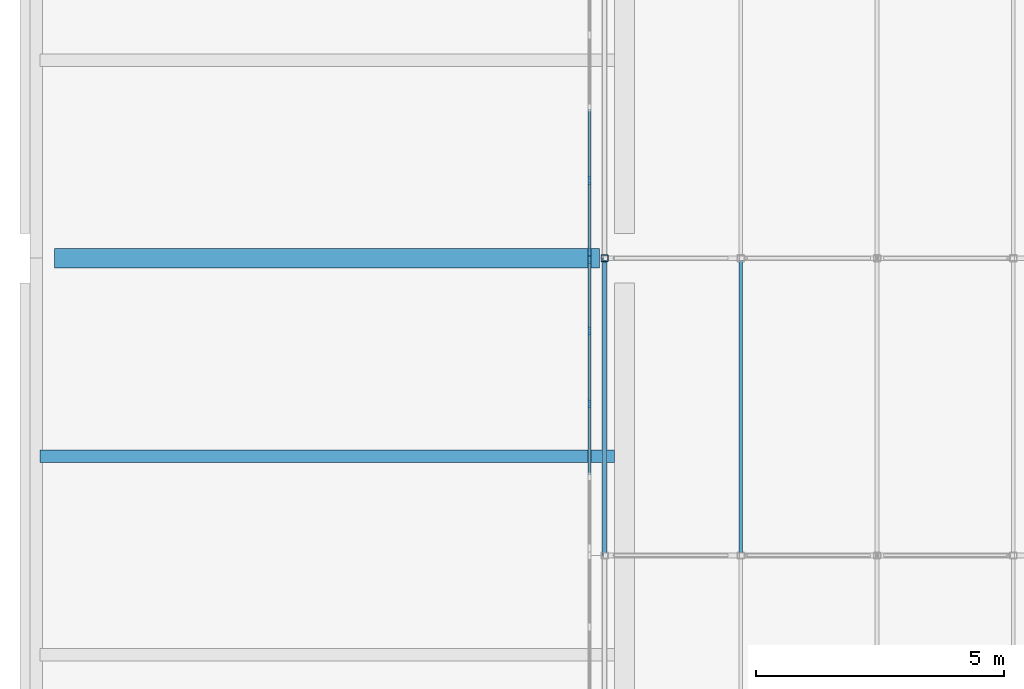
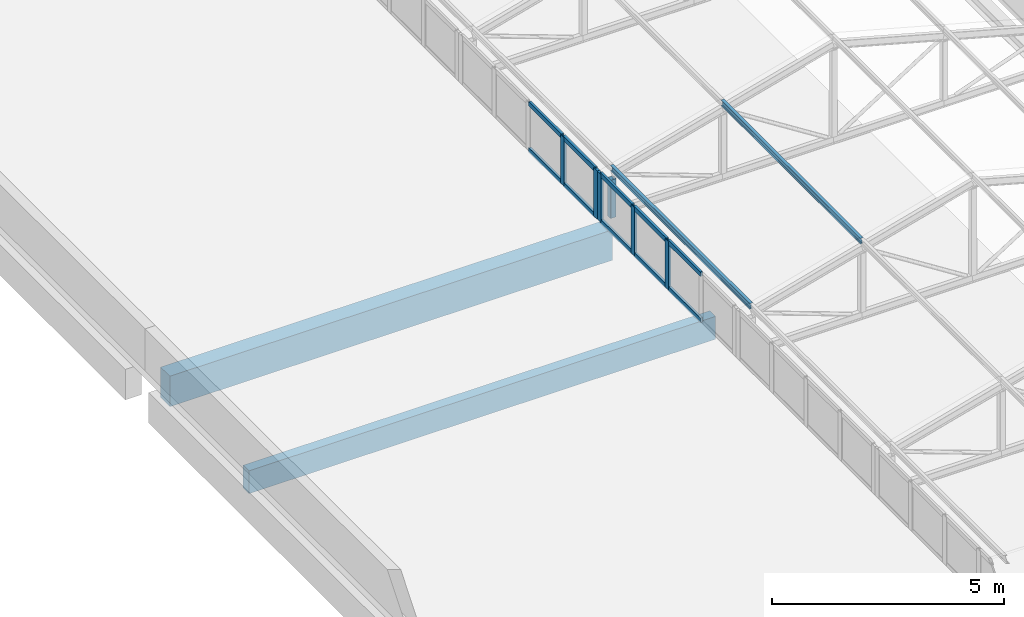
# One storey, part 26 of 94: 18 members, 2 beams, 2 elements without a shape of their own.
"""IFC4 building model written with IfcOpenShell, lengths in metres."""

from ifc_helpers import new_model, si_unit, direction, frame, origin, origin_2d, place, context, subcontext, project, spatial, rectangle, hollow_rectangle, i_section, extrude, material, layer, layer_set, material_profile, profile_set, type_object, element, aggregate, save


model = new_model("IFC4")

# Units and contexts
model_context = context("Model", 3, precision=1e-05, world=origin(), true_north=direction((0.0, 1.0)))
body_context = subcontext(model_context, "Body", "Model", "MODEL_VIEW")
ifc_project = project(units=[si_unit("LENGTHUNIT", "METRE"), si_unit("AREAUNIT", "SQUARE_METRE"), si_unit("VOLUMEUNIT", "CUBIC_METRE"), si_unit("PLANEANGLEUNIT", "RADIAN"), si_unit("MASSUNIT", "GRAM", prefix="KILO")], contexts=[model_context])

# Site, building, storey
site_placement = place(None, origin())
site = spatial("IfcSite", under=ifc_project, at=site_placement, CompositionType="ELEMENT")
building_placement = place(site_placement, origin())
building = spatial("IfcBuilding", under=site, at=building_placement, Name="Lilac Gate Convention Centre", CompositionType="ELEMENT")
storey_placement = place(building_placement, frame((0.0, 0.0, 21.0)))
storey = spatial("IfcBuildingStorey", under=building, at=storey_placement, Name="L04", CompositionType="ELEMENT", Elevation=21.0)

# Curtain wall, members
ifc_material_1 = material(Name="Aluminium framed double glazing", Category="aluminium")
ifc_layer = layer(ifc_material_1, 0.199951171875)
ifc_layer_set = layer_set([ifc_layer], Name="Aluminium framed double glazing")
curtain_wall_type = type_object("IfcCurtainWallType", Name="Unitised curtain wall 1500", PredefinedType="NOTDEFINED", material=ifc_layer_set)
curtain_wall_1_placement = place(storey_placement, origin())
curtain_wall_1 = element("IfcCurtainWall", 1, at=curtain_wall_1_placement, inside=storey, type_object=curtain_wall_type, Name="Lantern clerestory W 14", PredefinedType="NOTDEFINED")
ifc_material_2 = material(Name="Aluminium alloy 6063", Category="aluminium")
ifc_material_profile_1 = material_profile(ifc_material_2, rectangle(XDim=0.06005859375, YDim=0.159912109375, at=origin_2d()), Name="Curtain wall mullion 60 x 160")
ifc_profile_set_1 = profile_set([ifc_material_profile_1], Name="Aluminium alloy 6063")
member_type_1 = type_object("IfcMemberType", Name="Curtain wall mullion 60 x 160", PredefinedType="MULLION", material=ifc_profile_set_1)
member_1_placement = place(storey_placement, frame((17.300048828125, 111.0625, 0.0), z_axis=(0.0, 0.0, 1.0), x_axis=(-1.0, 0.0, 0.0)))
member_1 = element("IfcMember", 2, at=member_1_placement, type_object=member_type_1, Name="CW mullion 3", PredefinedType="MULLION", context=body_context, shape_type="SweptSolid", body=[
    extrude(rectangle(XDim=0.06005859375, YDim=0.159912109375, at=origin_2d()), origin(), (0.0, 0.0, 1.0), 1.272216796875),
])
member_2_placement = place(storey_placement, frame((17.300048828125, 112.53125, 0.0), z_axis=(0.0, 0.0, 1.0), x_axis=(-1.0, 0.0, 0.0)))
member_2 = element("IfcMember", 3, at=member_2_placement, type_object=member_type_1, Name="CW mullion 4", PredefinedType="MULLION", context=body_context, shape_type="SweptSolid", body=[
    extrude(rectangle(XDim=0.06005859375, YDim=0.159912109375, at=origin_2d()), origin(), (0.0, 0.0, 1.0), 1.272216796875),
])
member_3_placement = place(storey_placement, frame((17.300048828125, 113.969970703125, 0.0), z_axis=(0.0, 0.0, 1.0), x_axis=(-1.0, 0.0, 0.0)))
member_3 = element("IfcMember", 4, at=member_3_placement, type_object=member_type_1, Name="CW mullion 5", PredefinedType="MULLION", context=body_context, shape_type="SweptSolid", body=[
    extrude(rectangle(XDim=0.06005859375, YDim=0.159912109375, at=origin_2d()), origin(), (0.0, 0.0, 1.0), 1.272216796875),
])

curtain_wall_2_placement = place(storey_placement, origin())
curtain_wall_2 = element("IfcCurtainWall", 5, at=curtain_wall_2_placement, inside=storey, type_object=curtain_wall_type, Name="Lantern clerestory W 15", PredefinedType="NOTDEFINED")
member_4_placement = place(storey_placement, frame((17.300048828125, 114.130126953125, 0.0), z_axis=(0.0, 0.0, 1.0), x_axis=(-1.0, 0.0, 0.0)))
member_4 = element("IfcMember", 6, at=member_4_placement, type_object=member_type_1, Name="CW mullion 1", PredefinedType="MULLION", context=body_context, shape_type="SweptSolid", body=[
    extrude(rectangle(XDim=0.06005859375, YDim=0.159912109375, at=origin_2d()), origin(), (0.0, 0.0, 1.0), 1.272216796875),
])
member_5_placement = place(storey_placement, frame((17.300048828125, 115.56884765625, 0.0), z_axis=(0.0, 0.0, 1.0), x_axis=(-1.0, 0.0, 0.0)))
member_5 = element("IfcMember", 7, at=member_5_placement, type_object=member_type_1, Name="CW mullion 2", PredefinedType="MULLION", context=body_context, shape_type="SweptSolid", body=[
    extrude(rectangle(XDim=0.06005859375, YDim=0.159912109375, at=origin_2d()), origin(), (0.0, 0.0, 1.0), 1.272216796875),
])

# Member
ifc_material_profile_2 = material_profile(ifc_material_2, rectangle(XDim=0.06005859375, YDim=0.1201171875, at=origin_2d()), Name="Curtain wall transom 60 x 120")
ifc_profile_set_2 = profile_set([ifc_material_profile_2], Name="Aluminium alloy 6063")
member_type_2 = type_object("IfcMemberType", Name="Curtain wall transom 60 x 120", PredefinedType="USERDEFINED", material=ifc_profile_set_2)
member_6_placement = place(storey_placement, frame((17.300048828125, 109.623779296875, 0.030029296875), z_axis=(0.0, 1.0, 0.0), x_axis=(-1.0, 0.0, 0.0)))
member_6 = element("IfcMember", 8, at=member_6_placement, type_object=member_type_2, Name="CW transom 2.1", ObjectType="TRANSOM", PredefinedType="USERDEFINED", context=body_context, shape_type="SweptSolid", body=[
    extrude(rectangle(XDim=0.06005859375, YDim=0.1201171875, at=origin_2d()), origin(), (0.0, 0.0, 1.0), 1.40869140625),
])

member_7_placement = place(storey_placement, frame((17.300048828125, 109.623779296875, 1.2421875), z_axis=(0.0, 1.0, 0.0), x_axis=(-1.0, 0.0, 0.0)))
member_7 = element("IfcMember", 9, at=member_7_placement, type_object=member_type_2, Name="CW transom 2.2", ObjectType="TRANSOM", PredefinedType="USERDEFINED", context=body_context, shape_type="SweptSolid", body=[
    extrude(rectangle(XDim=0.06005859375, YDim=0.1201171875, at=origin_2d()), origin(), (0.0, 0.0, 1.0), 1.40869140625),
])

member_8_placement = place(storey_placement, frame((17.300048828125, 111.092529296875, 0.030029296875), z_axis=(0.0, 1.0, 0.0), x_axis=(-1.0, 0.0, 0.0)))
member_8 = element("IfcMember", 10, at=member_8_placement, type_object=member_type_2, Name="CW transom 3.1", ObjectType="TRANSOM", PredefinedType="USERDEFINED", context=body_context, shape_type="SweptSolid", body=[
    extrude(rectangle(XDim=0.06005859375, YDim=0.1201171875, at=origin_2d()), origin(), (0.0, 0.0, 1.0), 1.40869140625),
])

member_9_placement = place(storey_placement, frame((17.300048828125, 111.092529296875, 1.2421875), z_axis=(0.0, 1.0, 0.0), x_axis=(-1.0, 0.0, 0.0)))
member_9 = element("IfcMember", 11, at=member_9_placement, type_object=member_type_2, Name="CW transom 3.2", ObjectType="TRANSOM", PredefinedType="USERDEFINED", context=body_context, shape_type="SweptSolid", body=[
    extrude(rectangle(XDim=0.06005859375, YDim=0.1201171875, at=origin_2d()), origin(), (0.0, 0.0, 1.0), 1.40869140625),
])

member_10_placement = place(storey_placement, frame((17.300048828125, 112.561279296875, 0.030029296875), z_axis=(0.0, 1.0, 0.0), x_axis=(-1.0, 0.0, 0.0)))
member_10 = element("IfcMember", 12, at=member_10_placement, type_object=member_type_2, Name="CW transom 4.1", ObjectType="TRANSOM", PredefinedType="USERDEFINED", context=body_context, shape_type="SweptSolid", body=[
    extrude(rectangle(XDim=0.06005859375, YDim=0.1201171875, at=origin_2d()), origin(), (0.0, 0.0, 1.0), 1.378662109375),
])

member_11_placement = place(storey_placement, frame((17.300048828125, 112.561279296875, 1.2421875), z_axis=(0.0, 1.0, 0.0), x_axis=(-1.0, 0.0, 0.0)))
member_11 = element("IfcMember", 13, at=member_11_placement, type_object=member_type_2, Name="CW transom 4.2", ObjectType="TRANSOM", PredefinedType="USERDEFINED", context=body_context, shape_type="SweptSolid", body=[
    extrude(rectangle(XDim=0.06005859375, YDim=0.1201171875, at=origin_2d()), origin(), (0.0, 0.0, 1.0), 1.378662109375),
])

aggregate(curtain_wall_1, [member_1, member_2, member_3, member_6, member_7, member_8, member_9, member_10, member_11])

member_12_placement = place(storey_placement, frame((17.300048828125, 114.16015625, 0.030029296875), z_axis=(0.0, 1.0, 0.0), x_axis=(-1.0, 0.0, 0.0)))
member_12 = element("IfcMember", 14, at=member_12_placement, type_object=member_type_2, Name="CW transom 1.1", ObjectType="TRANSOM", PredefinedType="USERDEFINED", context=body_context, shape_type="SweptSolid", body=[
    extrude(rectangle(XDim=0.06005859375, YDim=0.1201171875, at=origin_2d()), origin(), (0.0, 0.0, 1.0), 1.378662109375),
])

member_13_placement = place(storey_placement, frame((17.300048828125, 114.16015625, 1.2421875), z_axis=(0.0, 1.0, 0.0), x_axis=(-1.0, 0.0, 0.0)))
member_13 = element("IfcMember", 15, at=member_13_placement, type_object=member_type_2, Name="CW transom 1.2", ObjectType="TRANSOM", PredefinedType="USERDEFINED", context=body_context, shape_type="SweptSolid", body=[
    extrude(rectangle(XDim=0.06005859375, YDim=0.1201171875, at=origin_2d()), origin(), (0.0, 0.0, 1.0), 1.378662109375),
])

member_14_placement = place(storey_placement, frame((17.300048828125, 115.598876953125, 0.030029296875), z_axis=(0.0, 1.0, 0.0), x_axis=(-1.0, 0.0, 0.0)))
member_14 = element("IfcMember", 16, at=member_14_placement, type_object=member_type_2, Name="CW transom 2.1", ObjectType="TRANSOM", PredefinedType="USERDEFINED", context=body_context, shape_type="SweptSolid", body=[
    extrude(rectangle(XDim=0.06005859375, YDim=0.1201171875, at=origin_2d()), origin(), (0.0, 0.0, 1.0), 1.40869140625),
])

member_15_placement = place(storey_placement, frame((17.300048828125, 115.598876953125, 1.2421875), z_axis=(0.0, 1.0, 0.0), x_axis=(-1.0, 0.0, 0.0)))
member_15 = element("IfcMember", 17, at=member_15_placement, type_object=member_type_2, Name="CW transom 2.2", ObjectType="TRANSOM", PredefinedType="USERDEFINED", context=body_context, shape_type="SweptSolid", body=[
    extrude(rectangle(XDim=0.06005859375, YDim=0.1201171875, at=origin_2d()), origin(), (0.0, 0.0, 1.0), 1.40869140625),
])

aggregate(curtain_wall_2, [member_4, member_5, member_12, member_13, member_14, member_15])

# Members
ifc_material_3 = material(Name="Steel Q355B", Category="steel")
ifc_material_profile_3 = material_profile(ifc_material_3, hollow_rectangle(XDim=0.139892578125, YDim=0.139892578125, WallThickness=0.0048828125, InnerFilletRadius=0.0048828125, OuterFilletRadius=0.010009765625, at=origin_2d()), Name="SHS140x140x5")
ifc_profile_set_3 = profile_set([ifc_material_profile_3], Name="Steel Q355B")
member_type_3 = type_object("IfcMemberType", Name="Lantern post SHS140x140x5", PredefinedType="STRUT", material=ifc_profile_set_3)
member_16_placement = place(storey_placement, frame((17.60009765625, 114.0, 0.0), z_axis=(0.0, 0.0, 1.0), x_axis=(1.0, 0.0, 0.0)))
element("IfcMember", 18, at=member_16_placement, inside=storey, type_object=member_type_3, Name="LV1 lantern truss 15 post 1", PredefinedType="STRUT", context=body_context, shape_type="SweptSolid", body=[
    extrude(hollow_rectangle(XDim=0.139892578125, YDim=0.139892578125, WallThickness=0.0048828125, InnerFilletRadius=0.0048828125, OuterFilletRadius=0.010009765625, at=origin_2d()), origin(), (0.0, 0.0, 1.0), 1.001953125),
])
ifc_material_profile_4 = material_profile(ifc_material_3, i_section(OverallWidth=0.074951171875, OverallDepth=0.14990234375, WebThickness=0.0048828125, FlangeThickness=0.007080078125, FilletRadius=0.008056640625, at=origin_2d()), Name="HN150x75x5x7")
ifc_profile_set_4 = profile_set([ifc_material_profile_4], Name="Steel Q355B")
member_type_4 = type_object("IfcMemberType", Name="Lantern purlin HN150x75x5x7", PredefinedType="PURLIN", material=ifc_profile_set_4)
for number, where, z_axis, x_axis, name in (
    (19, (17.60009765625, 108.0, 1.279052734375), (0.0, 1.0, 0.0), (-1.0, 0.0, 0.0), "LP1 lantern purlin bay 14 line 1"),
    (20, (20.35009765625, 108.0, 2.029052734375), (0.0, 1.0, 0.0), (-1.0, 0.0, 0.0), "LP1 lantern purlin bay 14 line 2"),
):
    element("IfcMember", number, at=place(storey_placement, frame(where, z_axis=z_axis, x_axis=x_axis)), inside=storey, type_object=member_type_4, Name=name, PredefinedType="PURLIN", context=body_context, shape_type="SweptSolid", body=[
        extrude(i_section(OverallWidth=0.074951171875, OverallDepth=0.14990234375, WebThickness=0.0048828125, FlangeThickness=0.007080078125, FilletRadius=0.008056640625, at=origin_2d()), origin(), (0.0, 0.0, 1.0), 6.0),
    ])

# Beams
ifc_material_4 = material(Name="Concrete C40", Category="concrete")
ifc_material_profile_5 = material_profile(ifc_material_4, rectangle(XDim=0.39990234375, YDim=0.800048828125, at=origin_2d()), Name="RC 400x800")
ifc_profile_set_5 = profile_set([ifc_material_profile_5], Name="Concrete C40")
beam_type_1 = type_object("IfcBeamType", Name="Tower primary beam 400x800 C40", PredefinedType="BEAM", material=ifc_profile_set_5)
beam_1_placement = place(storey_placement, frame((6.5, 114.0, -0.60009765625), z_axis=(1.0, 0.0, 0.0), x_axis=(0.0, 1.0, 0.0)))
element("IfcBeam", 21, at=beam_1_placement, inside=storey, type_object=beam_type_1, Name="RB3 L04 1/H-2/H", PredefinedType="BEAM", context=body_context, shape_type="SweptSolid", body=[
    extrude(rectangle(XDim=0.39990234375, YDim=0.800048828125, at=origin_2d()), origin(), (0.0, 0.0, 1.0), 11.0),
])
ifc_material_profile_6 = material_profile(ifc_material_4, rectangle(XDim=0.25, YDim=0.60009765625, at=origin_2d()), Name="RC 250x600")
ifc_profile_set_6 = profile_set([ifc_material_profile_6], Name="Concrete C40")
beam_type_2 = type_object("IfcBeamType", Name="Tower secondary beam 250x600 C40", PredefinedType="BEAM", material=ifc_profile_set_6)
beam_2_placement = place(storey_placement, frame((6.199951171875, 110.0, -0.5), z_axis=(1.0, 0.0, 0.0), x_axis=(0.0, 1.0, 0.0)))
element("IfcBeam", 22, at=beam_2_placement, inside=storey, type_object=beam_type_2, Name="RB4 L04 bay 1/G", PredefinedType="BEAM", context=body_context, shape_type="SweptSolid", body=[
    extrude(rectangle(XDim=0.25, YDim=0.60009765625, at=origin_2d()), origin(), (0.0, 0.0, 1.0), 11.60009765625),
])

save(model, "model.ifc")
